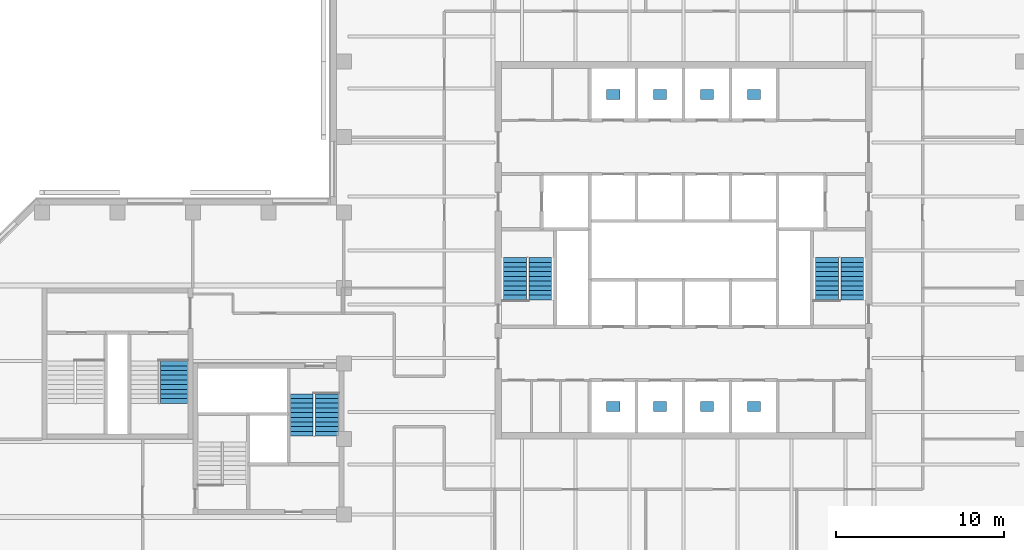
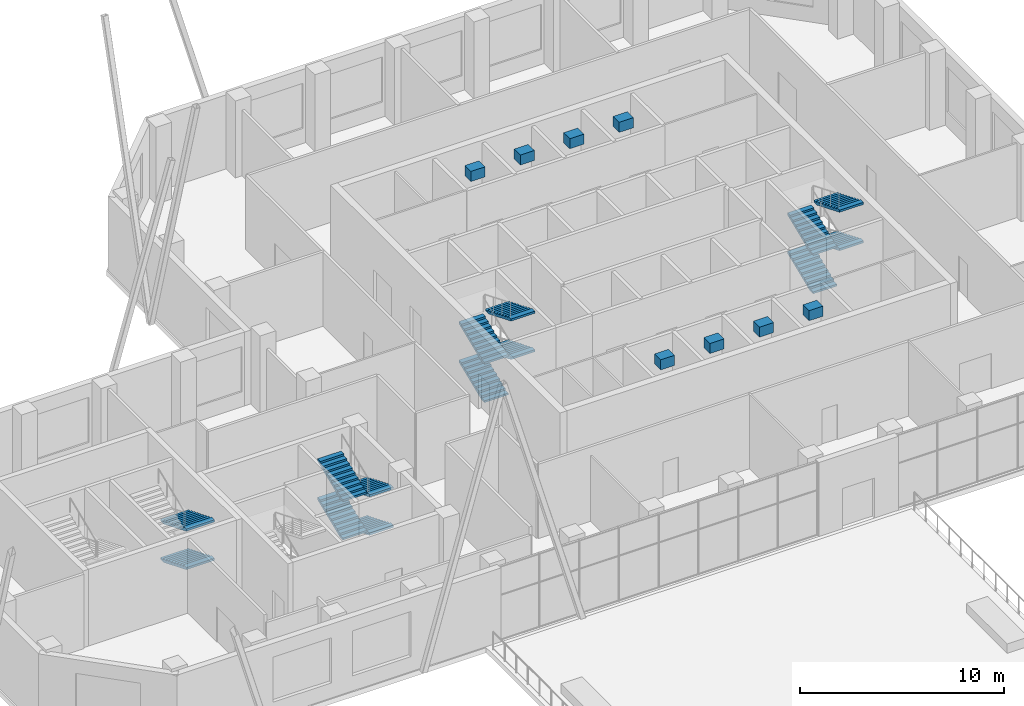
# One storey, part 12 of 14: 14 stair flights, 8 discrete accessories, 4 elements without a shape of their own.
"""IFC4 building model written with IfcOpenShell, lengths in metres."""

from ifc_helpers import new_model, si_unit, direction, frame, origin, origin_2d, place, context, subcontext, project, spatial, polyline, rectangle, outline, extrude, material, type_object, element, aggregate, save


model = new_model("IFC4")

# Units and contexts
model_context = context("Model", 3, precision=1e-05, world=origin(), true_north=direction((0.0, 1.0)))
body_context = subcontext(model_context, "Body", "Model", "MODEL_VIEW")
ifc_project = project(units=[si_unit("LENGTHUNIT", "METRE"), si_unit("AREAUNIT", "SQUARE_METRE"), si_unit("VOLUMEUNIT", "CUBIC_METRE"), si_unit("PLANEANGLEUNIT", "RADIAN"), si_unit("MASSUNIT", "GRAM", prefix="KILO")], contexts=[model_context])

# Site, building, storey
site_placement = place(None, origin())
site = spatial("IfcSite", under=ifc_project, at=site_placement, CompositionType="ELEMENT")
building_placement = place(site_placement, origin())
building = spatial("IfcBuilding", under=site, at=building_placement, Name="Quoin Convention Tower", CompositionType="ELEMENT")
storey_placement = place(building_placement, frame((0.0, 0.0, 143.10009765625)))
storey = spatial("IfcBuildingStorey", under=building, at=storey_placement, Name="L37", CompositionType="ELEMENT", Elevation=143.10009765625)

# Stair, stair flights
ifc_material_1 = material(Name="Concrete C40", Category="concrete")
stair_type_1 = type_object("IfcStairType", Name="Exit stair four-flight 1350", PredefinedType="DOUBLE_RETURN_STAIR", material=ifc_material_1)
stair_1_placement = place(storey_placement, origin())
stair_1 = element("IfcStair", 1, at=stair_1_placement, inside=storey, type_object=stair_type_1, Name="SD1 L37", PredefinedType="DOUBLE_RETURN_STAIR")
stair_flight_type_1 = type_object("IfcStairFlightType", Name="Stair flight 1350", PredefinedType="STRAIGHT", material=ifc_material_1)
stair_flight_1_placement = place(storey_placement, frame((46.199951171875, 57.800048828125, 0.0), z_axis=(0.0, 0.0, 1.0), x_axis=(0.0, 1.0, 0.0)))
stair_flight_1 = element("IfcStairFlight", 2, at=stair_flight_1_placement, type_object=stair_flight_type_1, Name="ST1 flight 1", NumberOfRisers=10, NumberOfTreads=9, PredefinedType="STRAIGHT", RiserHeight=0.115, TreadLength=0.28, context=body_context, shape_type="SweptSolid", body=[
    extrude(outline(polyline([(0.0, 0.0), (0.0, 0.114990234375), (0.280029296875, 0.114990234375), (0.280029296875, 0.22998046875), (0.56005859375, 0.22998046875), (0.56005859375, 0.344970703125), (0.840087890625, 0.344970703125), (0.840087890625, 0.4599609375), (1.1201171875, 0.4599609375), (1.1201171875, 0.574951171875), (1.39990234375, 0.574951171875), (1.39990234375, 0.68994140625), (1.679931640625, 0.68994140625), (1.679931640625, 0.804931640625), (1.9599609375, 0.804931640625), (1.9599609375, 0.919921875), (2.239990234375, 0.919921875), (2.239990234375, 1.034912109375), (2.52001953125, 1.034912109375), (2.52001953125, 1.14990234375), (2.52001953125, 0.905029296875), (0.316162109375, 0.0), (0.0, 0.0)])), frame((0.0, 0.675048828125, 0.0), z_axis=(0.0, -1.0, 0.0), x_axis=(1.0, 0.0, 0.0)), (0.0, 0.0, 1.0), 1.35009765625),
])
stair_flight_2_placement = place(storey_placement, frame((47.699951171875, 60.320068359375, 1.14990234375), z_axis=(0.0, 0.0, 1.0), x_axis=(0.0, -1.0, 0.0)))
stair_flight_2 = element("IfcStairFlight", 3, at=stair_flight_2_placement, type_object=stair_flight_type_1, Name="ST1 flight 2", NumberOfRisers=10, NumberOfTreads=9, PredefinedType="STRAIGHT", RiserHeight=0.115, TreadLength=0.28, context=body_context, shape_type="SweptSolid", body=[
    extrude(outline(polyline([(0.0, 0.0), (0.0, 0.114990234375), (0.280029296875, 0.114990234375), (0.280029296875, 0.22998046875), (0.56005859375, 0.22998046875), (0.56005859375, 0.344970703125), (0.840087890625, 0.344970703125), (0.840087890625, 0.4599609375), (1.1201171875, 0.4599609375), (1.1201171875, 0.574951171875), (1.39990234375, 0.574951171875), (1.39990234375, 0.68994140625), (1.679931640625, 0.68994140625), (1.679931640625, 0.804931640625), (1.9599609375, 0.804931640625), (1.9599609375, 0.919921875), (2.239990234375, 0.919921875), (2.239990234375, 1.034912109375), (2.52001953125, 1.034912109375), (2.52001953125, 1.14990234375), (2.52001953125, 0.905029296875), (0.316162109375, 0.0), (0.0, 0.0)])), frame((0.0, 0.675048828125, 0.0), z_axis=(0.0, -1.0, 0.0), x_axis=(1.0, 0.0, 0.0)), (0.0, 0.0, 1.0), 1.35009765625),
])
stair_flight_3_placement = place(storey_placement, frame((46.199951171875, 57.800048828125, 2.2998046875), z_axis=(0.0, 0.0, 1.0), x_axis=(0.0, 1.0, 0.0)))
stair_flight_3 = element("IfcStairFlight", 4, at=stair_flight_3_placement, type_object=stair_flight_type_1, Name="ST1 flight 3", NumberOfRisers=10, NumberOfTreads=9, PredefinedType="STRAIGHT", RiserHeight=0.115, TreadLength=0.28, context=body_context, shape_type="SweptSolid", body=[
    extrude(outline(polyline([(0.0, 0.0), (0.0, 0.114990234375), (0.280029296875, 0.114990234375), (0.280029296875, 0.22998046875), (0.56005859375, 0.22998046875), (0.56005859375, 0.344970703125), (0.840087890625, 0.344970703125), (0.840087890625, 0.4599609375), (1.1201171875, 0.4599609375), (1.1201171875, 0.574951171875), (1.39990234375, 0.574951171875), (1.39990234375, 0.68994140625), (1.679931640625, 0.68994140625), (1.679931640625, 0.804931640625), (1.9599609375, 0.804931640625), (1.9599609375, 0.919921875), (2.239990234375, 0.919921875), (2.239990234375, 1.034912109375), (2.52001953125, 1.034912109375), (2.52001953125, 1.14990234375), (2.52001953125, 0.905029296875), (0.316162109375, 0.0), (0.0, 0.0)])), frame((0.0, 0.675048828125, 0.0), z_axis=(0.0, -1.0, 0.0), x_axis=(1.0, 0.0, 0.0)), (0.0, 0.0, 1.0), 1.35009765625),
])
stair_flight_4_placement = place(storey_placement, frame((47.699951171875, 60.320068359375, 3.449951171875), z_axis=(0.0, 0.0, 1.0), x_axis=(0.0, -1.0, 0.0)))
stair_flight_4 = element("IfcStairFlight", 5, at=stair_flight_4_placement, type_object=stair_flight_type_1, Name="ST1 flight 4", NumberOfRisers=10, NumberOfTreads=9, PredefinedType="STRAIGHT", RiserHeight=0.115, TreadLength=0.28, context=body_context, shape_type="SweptSolid", body=[
    extrude(outline(polyline([(0.0, 0.0), (0.0, 0.114990234375), (0.280029296875, 0.114990234375), (0.280029296875, 0.22998046875), (0.56005859375, 0.22998046875), (0.56005859375, 0.344970703125), (0.840087890625, 0.344970703125), (0.840087890625, 0.4599609375), (1.1201171875, 0.4599609375), (1.1201171875, 0.574951171875), (1.39990234375, 0.574951171875), (1.39990234375, 0.68994140625), (1.679931640625, 0.68994140625), (1.679931640625, 0.804931640625), (1.9599609375, 0.804931640625), (1.9599609375, 0.919921875), (2.239990234375, 0.919921875), (2.239990234375, 1.034912109375), (2.52001953125, 1.034912109375), (2.52001953125, 1.14990234375), (2.52001953125, 0.905029296875), (0.316162109375, 0.0), (0.0, 0.0)])), frame((0.0, 0.675048828125, 0.0), z_axis=(0.0, -1.0, 0.0), x_axis=(1.0, 0.0, 0.0)), (0.0, 0.0, 1.0), 1.35009765625),
])
aggregate(stair_1, [stair_flight_1, stair_flight_2, stair_flight_3, stair_flight_4])

stair_2_placement = place(storey_placement, origin())
stair_2 = element("IfcStair", 6, at=stair_2_placement, inside=storey, type_object=stair_type_1, Name="SD2 L37", PredefinedType="DOUBLE_RETURN_STAIR")
stair_flight_5_placement = place(storey_placement, frame((64.800048828125, 57.800048828125, 0.0), z_axis=(0.0, 0.0, 1.0), x_axis=(0.0, 1.0, 0.0)))
stair_flight_5 = element("IfcStairFlight", 7, at=stair_flight_5_placement, type_object=stair_flight_type_1, Name="ST2 flight 1", NumberOfRisers=10, NumberOfTreads=9, PredefinedType="STRAIGHT", RiserHeight=0.115, TreadLength=0.28, context=body_context, shape_type="SweptSolid", body=[
    extrude(outline(polyline([(0.0, 0.0), (0.0, 0.114990234375), (0.280029296875, 0.114990234375), (0.280029296875, 0.22998046875), (0.56005859375, 0.22998046875), (0.56005859375, 0.344970703125), (0.840087890625, 0.344970703125), (0.840087890625, 0.4599609375), (1.1201171875, 0.4599609375), (1.1201171875, 0.574951171875), (1.39990234375, 0.574951171875), (1.39990234375, 0.68994140625), (1.679931640625, 0.68994140625), (1.679931640625, 0.804931640625), (1.9599609375, 0.804931640625), (1.9599609375, 0.919921875), (2.239990234375, 0.919921875), (2.239990234375, 1.034912109375), (2.52001953125, 1.034912109375), (2.52001953125, 1.14990234375), (2.52001953125, 0.905029296875), (0.316162109375, 0.0), (0.0, 0.0)])), frame((0.0, 0.675048828125, 0.0), z_axis=(0.0, -1.0, 0.0), x_axis=(1.0, 0.0, 0.0)), (0.0, 0.0, 1.0), 1.35009765625),
])
stair_flight_6_placement = place(storey_placement, frame((66.300048828125, 60.320068359375, 1.14990234375), z_axis=(0.0, 0.0, 1.0), x_axis=(0.0, -1.0, 0.0)))
stair_flight_6 = element("IfcStairFlight", 8, at=stair_flight_6_placement, type_object=stair_flight_type_1, Name="ST2 flight 2", NumberOfRisers=10, NumberOfTreads=9, PredefinedType="STRAIGHT", RiserHeight=0.115, TreadLength=0.28, context=body_context, shape_type="SweptSolid", body=[
    extrude(outline(polyline([(0.0, 0.0), (0.0, 0.114990234375), (0.280029296875, 0.114990234375), (0.280029296875, 0.22998046875), (0.56005859375, 0.22998046875), (0.56005859375, 0.344970703125), (0.840087890625, 0.344970703125), (0.840087890625, 0.4599609375), (1.1201171875, 0.4599609375), (1.1201171875, 0.574951171875), (1.39990234375, 0.574951171875), (1.39990234375, 0.68994140625), (1.679931640625, 0.68994140625), (1.679931640625, 0.804931640625), (1.9599609375, 0.804931640625), (1.9599609375, 0.919921875), (2.239990234375, 0.919921875), (2.239990234375, 1.034912109375), (2.52001953125, 1.034912109375), (2.52001953125, 1.14990234375), (2.52001953125, 0.905029296875), (0.316162109375, 0.0), (0.0, 0.0)])), frame((0.0, 0.675048828125, 0.0), z_axis=(0.0, -1.0, 0.0), x_axis=(1.0, 0.0, 0.0)), (0.0, 0.0, 1.0), 1.35009765625),
])
stair_flight_7_placement = place(storey_placement, frame((64.800048828125, 57.800048828125, 2.2998046875), z_axis=(0.0, 0.0, 1.0), x_axis=(0.0, 1.0, 0.0)))
stair_flight_7 = element("IfcStairFlight", 9, at=stair_flight_7_placement, type_object=stair_flight_type_1, Name="ST2 flight 3", NumberOfRisers=10, NumberOfTreads=9, PredefinedType="STRAIGHT", RiserHeight=0.115, TreadLength=0.28, context=body_context, shape_type="SweptSolid", body=[
    extrude(outline(polyline([(0.0, 0.0), (0.0, 0.114990234375), (0.280029296875, 0.114990234375), (0.280029296875, 0.22998046875), (0.56005859375, 0.22998046875), (0.56005859375, 0.344970703125), (0.840087890625, 0.344970703125), (0.840087890625, 0.4599609375), (1.1201171875, 0.4599609375), (1.1201171875, 0.574951171875), (1.39990234375, 0.574951171875), (1.39990234375, 0.68994140625), (1.679931640625, 0.68994140625), (1.679931640625, 0.804931640625), (1.9599609375, 0.804931640625), (1.9599609375, 0.919921875), (2.239990234375, 0.919921875), (2.239990234375, 1.034912109375), (2.52001953125, 1.034912109375), (2.52001953125, 1.14990234375), (2.52001953125, 0.905029296875), (0.316162109375, 0.0), (0.0, 0.0)])), frame((0.0, 0.675048828125, 0.0), z_axis=(0.0, -1.0, 0.0), x_axis=(1.0, 0.0, 0.0)), (0.0, 0.0, 1.0), 1.35009765625),
])
stair_flight_8_placement = place(storey_placement, frame((66.300048828125, 60.320068359375, 3.449951171875), z_axis=(0.0, 0.0, 1.0), x_axis=(0.0, -1.0, 0.0)))
stair_flight_8 = element("IfcStairFlight", 10, at=stair_flight_8_placement, type_object=stair_flight_type_1, Name="ST2 flight 4", NumberOfRisers=10, NumberOfTreads=9, PredefinedType="STRAIGHT", RiserHeight=0.115, TreadLength=0.28, context=body_context, shape_type="SweptSolid", body=[
    extrude(outline(polyline([(0.0, 0.0), (0.0, 0.114990234375), (0.280029296875, 0.114990234375), (0.280029296875, 0.22998046875), (0.56005859375, 0.22998046875), (0.56005859375, 0.344970703125), (0.840087890625, 0.344970703125), (0.840087890625, 0.4599609375), (1.1201171875, 0.4599609375), (1.1201171875, 0.574951171875), (1.39990234375, 0.574951171875), (1.39990234375, 0.68994140625), (1.679931640625, 0.68994140625), (1.679931640625, 0.804931640625), (1.9599609375, 0.804931640625), (1.9599609375, 0.919921875), (2.239990234375, 0.919921875), (2.239990234375, 1.034912109375), (2.52001953125, 1.034912109375), (2.52001953125, 1.14990234375), (2.52001953125, 0.905029296875), (0.316162109375, 0.0), (0.0, 0.0)])), frame((0.0, 0.675048828125, 0.0), z_axis=(0.0, -1.0, 0.0), x_axis=(1.0, 0.0, 0.0)), (0.0, 0.0, 1.0), 1.35009765625),
])
aggregate(stair_2, [stair_flight_5, stair_flight_6, stair_flight_7, stair_flight_8])

stair_3_placement = place(storey_placement, origin())
stair_3 = element("IfcStair", 11, at=stair_3_placement, inside=storey, type_object=stair_type_1, Name="SD4 L37", PredefinedType="DOUBLE_RETURN_STAIR")
stair_flight_9_placement = place(storey_placement, frame((35.0, 52.199951171875, 0.0), z_axis=(0.0, 0.0, 1.0), x_axis=(0.0, -1.0, 0.0)))
stair_flight_9 = element("IfcStairFlight", 12, at=stair_flight_9_placement, type_object=stair_flight_type_1, Name="ST4 flight 1", NumberOfRisers=10, NumberOfTreads=9, PredefinedType="STRAIGHT", RiserHeight=0.115, TreadLength=0.28, context=body_context, shape_type="SweptSolid", body=[
    extrude(outline(polyline([(0.0, 0.0), (0.0, 0.114990234375), (0.280029296875, 0.114990234375), (0.280029296875, 0.22998046875), (0.56005859375, 0.22998046875), (0.56005859375, 0.344970703125), (0.840087890625, 0.344970703125), (0.840087890625, 0.4599609375), (1.1201171875, 0.4599609375), (1.1201171875, 0.574951171875), (1.39990234375, 0.574951171875), (1.39990234375, 0.68994140625), (1.679931640625, 0.68994140625), (1.679931640625, 0.804931640625), (1.9599609375, 0.804931640625), (1.9599609375, 0.919921875), (2.239990234375, 0.919921875), (2.239990234375, 1.034912109375), (2.52001953125, 1.034912109375), (2.52001953125, 1.14990234375), (2.52001953125, 0.905029296875), (0.316162109375, 0.0), (0.0, 0.0)])), frame((0.0, 0.675048828125, 0.0), z_axis=(0.0, -1.0, 0.0), x_axis=(1.0, 0.0, 0.0)), (0.0, 0.0, 1.0), 1.35009765625),
])
stair_flight_10_placement = place(storey_placement, frame((33.5, 49.679931640625, 1.14990234375), z_axis=(0.0, 0.0, 1.0), x_axis=(0.0, 1.0, 0.0)))
stair_flight_10 = element("IfcStairFlight", 13, at=stair_flight_10_placement, type_object=stair_flight_type_1, Name="ST4 flight 2", NumberOfRisers=10, NumberOfTreads=9, PredefinedType="STRAIGHT", RiserHeight=0.115, TreadLength=0.28, context=body_context, shape_type="SweptSolid", body=[
    extrude(outline(polyline([(0.0, 0.0), (0.0, 0.114990234375), (0.280029296875, 0.114990234375), (0.280029296875, 0.22998046875), (0.56005859375, 0.22998046875), (0.56005859375, 0.344970703125), (0.840087890625, 0.344970703125), (0.840087890625, 0.4599609375), (1.1201171875, 0.4599609375), (1.1201171875, 0.574951171875), (1.39990234375, 0.574951171875), (1.39990234375, 0.68994140625), (1.679931640625, 0.68994140625), (1.679931640625, 0.804931640625), (1.9599609375, 0.804931640625), (1.9599609375, 0.919921875), (2.239990234375, 0.919921875), (2.239990234375, 1.034912109375), (2.52001953125, 1.034912109375), (2.52001953125, 1.14990234375), (2.52001953125, 0.905029296875), (0.316162109375, 0.0), (0.0, 0.0)])), frame((0.0, 0.675048828125, 0.0), z_axis=(0.0, -1.0, 0.0), x_axis=(1.0, 0.0, 0.0)), (0.0, 0.0, 1.0), 1.35009765625),
])
stair_flight_11_placement = place(storey_placement, frame((35.0, 52.199951171875, 2.2998046875), z_axis=(0.0, 0.0, 1.0), x_axis=(0.0, -1.0, 0.0)))
stair_flight_11 = element("IfcStairFlight", 14, at=stair_flight_11_placement, type_object=stair_flight_type_1, Name="ST4 flight 3", NumberOfRisers=10, NumberOfTreads=9, PredefinedType="STRAIGHT", RiserHeight=0.115, TreadLength=0.28, context=body_context, shape_type="SweptSolid", body=[
    extrude(outline(polyline([(0.0, 0.0), (0.0, 0.114990234375), (0.280029296875, 0.114990234375), (0.280029296875, 0.22998046875), (0.56005859375, 0.22998046875), (0.56005859375, 0.344970703125), (0.840087890625, 0.344970703125), (0.840087890625, 0.4599609375), (1.1201171875, 0.4599609375), (1.1201171875, 0.574951171875), (1.39990234375, 0.574951171875), (1.39990234375, 0.68994140625), (1.679931640625, 0.68994140625), (1.679931640625, 0.804931640625), (1.9599609375, 0.804931640625), (1.9599609375, 0.919921875), (2.239990234375, 0.919921875), (2.239990234375, 1.034912109375), (2.52001953125, 1.034912109375), (2.52001953125, 1.14990234375), (2.52001953125, 0.905029296875), (0.316162109375, 0.0), (0.0, 0.0)])), frame((0.0, 0.675048828125, 0.0), z_axis=(0.0, -1.0, 0.0), x_axis=(1.0, 0.0, 0.0)), (0.0, 0.0, 1.0), 1.35009765625),
])
stair_flight_12_placement = place(storey_placement, frame((33.5, 49.679931640625, 3.449951171875), z_axis=(0.0, 0.0, 1.0), x_axis=(0.0, 1.0, 0.0)))
stair_flight_12 = element("IfcStairFlight", 15, at=stair_flight_12_placement, type_object=stair_flight_type_1, Name="ST4 flight 4", NumberOfRisers=10, NumberOfTreads=9, PredefinedType="STRAIGHT", RiserHeight=0.115, TreadLength=0.28, context=body_context, shape_type="SweptSolid", body=[
    extrude(outline(polyline([(0.0, 0.0), (0.0, 0.114990234375), (0.280029296875, 0.114990234375), (0.280029296875, 0.22998046875), (0.56005859375, 0.22998046875), (0.56005859375, 0.344970703125), (0.840087890625, 0.344970703125), (0.840087890625, 0.4599609375), (1.1201171875, 0.4599609375), (1.1201171875, 0.574951171875), (1.39990234375, 0.574951171875), (1.39990234375, 0.68994140625), (1.679931640625, 0.68994140625), (1.679931640625, 0.804931640625), (1.9599609375, 0.804931640625), (1.9599609375, 0.919921875), (2.239990234375, 0.919921875), (2.239990234375, 1.034912109375), (2.52001953125, 1.034912109375), (2.52001953125, 1.14990234375), (2.52001953125, 0.905029296875), (0.316162109375, 0.0), (0.0, 0.0)])), frame((0.0, 0.675048828125, 0.0), z_axis=(0.0, -1.0, 0.0), x_axis=(1.0, 0.0, 0.0)), (0.0, 0.0, 1.0), 1.35009765625),
])
aggregate(stair_3, [stair_flight_9, stair_flight_10, stair_flight_11, stair_flight_12])

stair_type_2 = type_object("IfcStairType", Name="Exit stair four-flight 1600", PredefinedType="DOUBLE_RETURN_STAIR", material=ifc_material_1)
stair_4_placement = place(storey_placement, origin())
stair_4 = element("IfcStair", 16, at=stair_4_placement, inside=storey, type_object=stair_type_2, Name="SD12 L37", PredefinedType="DOUBLE_RETURN_STAIR")
stair_flight_type_2 = type_object("IfcStairFlightType", Name="Stair flight 1600", PredefinedType="STRAIGHT", material=ifc_material_1)
stair_flight_13_placement = place(storey_placement, frame((25.875, 54.14990234375, 0.0), z_axis=(0.0, 0.0, 1.0), x_axis=(0.0, -1.0, 0.0)))
stair_flight_13 = element("IfcStairFlight", 17, at=stair_flight_13_placement, type_object=stair_flight_type_2, Name="ST12 flight 1", NumberOfRisers=10, NumberOfTreads=9, PredefinedType="STRAIGHT", RiserHeight=0.115, TreadLength=0.28, context=body_context, shape_type="SweptSolid", body=[
    extrude(outline(polyline([(0.0, 0.0), (0.0, 0.114990234375), (0.280029296875, 0.114990234375), (0.280029296875, 0.22998046875), (0.56005859375, 0.22998046875), (0.56005859375, 0.344970703125), (0.840087890625, 0.344970703125), (0.840087890625, 0.4599609375), (1.1201171875, 0.4599609375), (1.1201171875, 0.574951171875), (1.39990234375, 0.574951171875), (1.39990234375, 0.68994140625), (1.679931640625, 0.68994140625), (1.679931640625, 0.804931640625), (1.9599609375, 0.804931640625), (1.9599609375, 0.919921875), (2.239990234375, 0.919921875), (2.239990234375, 1.034912109375), (2.52001953125, 1.034912109375), (2.52001953125, 1.14990234375), (2.52001953125, 0.905029296875), (0.316162109375, 0.0), (0.0, 0.0)])), frame((0.0, 0.800048828125, 0.0), z_axis=(0.0, -1.0, 0.0), x_axis=(1.0, 0.0, 0.0)), (0.0, 0.0, 1.0), 1.60009765625),
])
stair_flight_14_placement = place(storey_placement, frame((25.875, 54.14990234375, 2.2998046875), z_axis=(0.0, 0.0, 1.0), x_axis=(0.0, -1.0, 0.0)))
stair_flight_14 = element("IfcStairFlight", 18, at=stair_flight_14_placement, type_object=stair_flight_type_2, Name="ST12 flight 3", NumberOfRisers=10, NumberOfTreads=9, PredefinedType="STRAIGHT", RiserHeight=0.115, TreadLength=0.28, context=body_context, shape_type="SweptSolid", body=[
    extrude(outline(polyline([(0.0, 0.0), (0.0, 0.114990234375), (0.280029296875, 0.114990234375), (0.280029296875, 0.22998046875), (0.56005859375, 0.22998046875), (0.56005859375, 0.344970703125), (0.840087890625, 0.344970703125), (0.840087890625, 0.4599609375), (1.1201171875, 0.4599609375), (1.1201171875, 0.574951171875), (1.39990234375, 0.574951171875), (1.39990234375, 0.68994140625), (1.679931640625, 0.68994140625), (1.679931640625, 0.804931640625), (1.9599609375, 0.804931640625), (1.9599609375, 0.919921875), (2.239990234375, 0.919921875), (2.239990234375, 1.034912109375), (2.52001953125, 1.034912109375), (2.52001953125, 1.14990234375), (2.52001953125, 0.905029296875), (0.316162109375, 0.0), (0.0, 0.0)])), frame((0.0, 0.800048828125, 0.0), z_axis=(0.0, -1.0, 0.0), x_axis=(1.0, 0.0, 0.0)), (0.0, 0.0, 1.0), 1.60009765625),
])
aggregate(stair_4, [stair_flight_13, stair_flight_14])

# Discrete accessories
ifc_material_2 = material(Name="Steel Grade 300", Category="steel")
for number, where, z_axis, x_axis, name in (
    (19, (52.050048828125, 51.449951171875, 3.849853515625), (0.0, 0.0, 1.0), (1.0, 0.0, 0.0), "LIFT MACHINE L1"),
    (20, (54.85009765625, 51.449951171875, 3.849853515625), (0.0, 0.0, 1.0), (1.0, 0.0, 0.0), "LIFT MACHINE L2"),
    (21, (57.64990234375, 51.449951171875, 3.849853515625), (0.0, 0.0, 1.0), (1.0, 0.0, 0.0), "LIFT MACHINE L3"),
    (22, (60.449951171875, 51.449951171875, 3.849853515625), (0.0, 0.0, 1.0), (1.0, 0.0, 0.0), "LIFT MACHINE L4"),
    (23, (52.050048828125, 70.050048828125, 3.849853515625), (0.0, 0.0, 1.0), (1.0, 0.0, 0.0), "LIFT MACHINE L5"),
    (24, (54.85009765625, 70.050048828125, 3.849853515625), (0.0, 0.0, 1.0), (1.0, 0.0, 0.0), "LIFT MACHINE L6"),
    (25, (57.64990234375, 70.050048828125, 3.849853515625), (0.0, 0.0, 1.0), (1.0, 0.0, 0.0), "LIFT MACHINE L7"),
    (26, (60.449951171875, 70.050048828125, 3.849853515625), (0.0, 0.0, 1.0), (1.0, 0.0, 0.0), "LIFT MACHINE L8"),
):
    element("IfcDiscreteAccessory", number, at=place(storey_placement, frame(where, z_axis=z_axis, x_axis=x_axis)), inside=storey, material=ifc_material_2, Name=name, ObjectType="Lift machine", PredefinedType="USERDEFINED", context=body_context, shape_type="SweptSolid", body=[
        extrude(rectangle(XDim=0.800048828125, YDim=0.60009765625, at=origin_2d()), origin(), (0.0, 0.0, 1.0), 0.60009765625),
    ])

save(model, "model.ifc")
